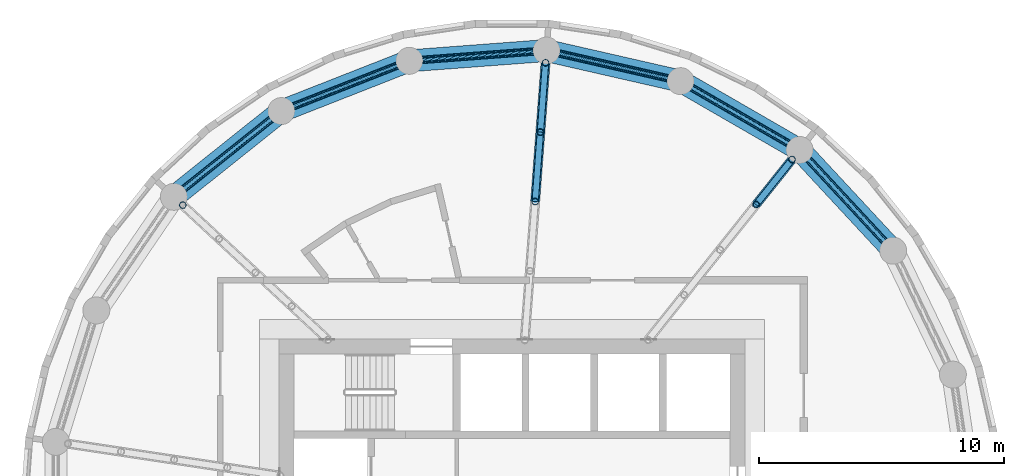
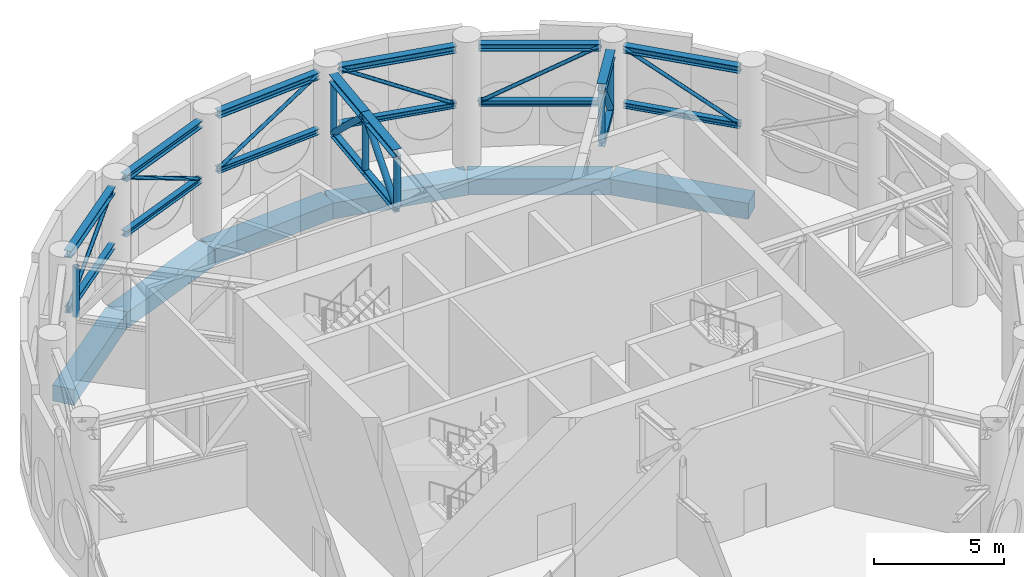
# One storey, part 6 of 13: 33 members, 6 beams.
"""IFC4 building model written with IfcOpenShell, lengths in metres."""

from ifc_helpers import new_model, si_unit, direction, frame, origin, origin_2d, place, context, subcontext, project, spatial, rectangle, hollow_circle, i_section, extrude, material, material_profile, profile_set, type_object, element, save


model = new_model("IFC4")

# Units and contexts
model_context = context("Model", 3, precision=1e-05, world=origin(), true_north=direction((0.0, 1.0)))
body_context = subcontext(model_context, "Body", "Model", "MODEL_VIEW")
ifc_project = project(units=[si_unit("LENGTHUNIT", "METRE"), si_unit("AREAUNIT", "SQUARE_METRE"), si_unit("VOLUMEUNIT", "CUBIC_METRE"), si_unit("PLANEANGLEUNIT", "RADIAN"), si_unit("MASSUNIT", "GRAM", prefix="KILO")], contexts=[model_context])

# Site, building, storey
site_placement = place(None, origin())
site = spatial("IfcSite", under=ifc_project, at=site_placement, CompositionType="ELEMENT")
building_placement = place(site_placement, origin())
building = spatial("IfcBuilding", under=site, at=building_placement, Name="Tracery Tower", CompositionType="ELEMENT")
storey_placement = place(building_placement, frame((0.0, 0.0, 277.800048828125)))
storey = spatial("IfcBuildingStorey", under=building, at=storey_placement, Name="L72 Plant", CompositionType="ELEMENT", Elevation=277.800048828125)

# Members
ifc_material_1 = material(Name="Steel S355", Category="steel")
ifc_material_profile_1 = material_profile(ifc_material_1, i_section(OverallWidth=0.25634765625, OverallDepth=0.26025390625, WebThickness=0.01025390625, FlangeThickness=0.017333984375, FilletRadius=0.0126953125, at=origin_2d()), Name="UKC 254x254x89")
ifc_profile_set_1 = profile_set([ifc_material_profile_1], Name="Steel S355")
member_type_1 = type_object("IfcMemberType", Name="Belt truss bottom chord UKC 254x254x89", PredefinedType="CHORD", material=ifc_profile_set_1)
for number, where, z_axis, x_axis, name in (
    (1, (15.24560546875, 10.932861328125, 2.830078125), (-0.680180699455, 0.733044484386, 0.0), (-0.733044484386, -0.680180699455, 0.0), "Belt truss bottom chord 3"),
    (2, (11.345703125, 14.94091796875, 2.830078125), (-0.866037140647, 0.499979670606, 0.0), (-0.499979670606, -0.866037140647, 0.0), "Belt truss bottom chord 4"),
    (3, (6.437744140625, 17.62109375, 2.830078125), (-0.974922155148, 0.222546155665, 0.0), (-0.222546155665, -0.974922155148, 0.0), "Belt truss bottom chord 5"),
    (4, (0.9580078125, 18.736083984375, 2.830078125), (-0.997199599776, -0.074786082973, 0.0), (0.074786082973, -0.997199599776, 0.0), "Belt truss bottom chord 6"),
    (5, (-4.607177734375, 18.185791015625, 2.830078125), (-0.93087679871, -0.365333252831, 0.0), (0.365333252831, -0.93087679871, 0.0), "Belt truss bottom chord 7"),
    (6, (-9.762939453125, 16.02001953125, 2.830078125), (-0.781828604121, -0.623493411175, 0.0), (0.623493411175, -0.781828604121, 0.0), "Belt truss bottom chord 8"),
):
    element("IfcMember", number, at=place(storey_placement, frame(where, z_axis=z_axis, x_axis=x_axis)), inside=storey, type_object=member_type_1, Name=name, PredefinedType="CHORD", context=body_context, shape_type="SweptSolid", body=[
        extrude(i_section(OverallWidth=0.25634765625, OverallDepth=0.26025390625, WebThickness=0.01025390625, FlangeThickness=0.017333984375, FilletRadius=0.0126953125, at=origin_2d()), origin(), (0.0, 0.0, 1.0), 4.710693359375),
    ])
ifc_material_2 = material(Name="Steel S355", Category="steel")
ifc_material_profile_2 = material_profile(ifc_material_2, hollow_circle(Radius=0.084228515625, WallThickness=0.008056640625, at=origin_2d()), Name="CHS 168.3x8")
ifc_profile_set_2 = profile_set([ifc_material_profile_2], Name="Steel S355")
member_type_2 = type_object("IfcMemberType", Name="Belt truss diagonal CHS 168.3x8", PredefinedType="BRACE", material=ifc_profile_set_2)
for number, where, z_axis, x_axis, name in (
    (7, (15.24560546875, 10.932861328125, 2.830078125), (-0.593410988412, 0.639531013418, 0.488736617932), (-0.733044484386, -0.680180699455, 0.0), "Belt truss diagonal 3"),
    (8, (11.345703125, 14.94091796875, 5.468994140625), (-0.755557155629, 0.436197479375, -0.488738318085), (-0.499979670606, -0.866037140647, 0.0), "Belt truss diagonal 4"),
    (9, (6.437744140625, 17.62109375, 2.830078125), (-0.850552696551, 0.194156253202, 0.48873659545), (-0.222546155665, -0.974922155148, 0.0), "Belt truss diagonal 5"),
    (10, (0.9580078125, 18.736083984375, 5.468994140625), (-0.86998996148, -0.065245855954, -0.488733511441), (0.074786082973, -0.997199599776, 0.0), "Belt truss diagonal 6"),
    (11, (-4.607177734375, 18.185791015625, 2.830078125), (-0.812124520324, -0.318727562149, 0.488739710494), (0.365333252831, -0.93087679871, 0.0), "Belt truss diagonal 7"),
    (12, (-9.762939453125, 16.02001953125, 5.468994140625), (-0.682088749802, -0.543952778264, -0.488743606007), (0.623493411175, -0.781828604121, 0.0), "Belt truss diagonal 8"),
):
    element("IfcMember", number, at=place(storey_placement, frame(where, z_axis=z_axis, x_axis=x_axis)), inside=storey, type_object=member_type_2, Name=name, PredefinedType="BRACE", context=body_context, shape_type="SweptSolid", body=[
        extrude(hollow_circle(Radius=0.084228515625, WallThickness=0.008056640625, at=origin_2d()), origin(), (0.0, 0.0, 1.0), 5.3994140625),
    ])
ifc_material_3 = material(Name="Steel S355", Category="steel")
ifc_material_profile_3 = material_profile(ifc_material_3, i_section(OverallWidth=0.30908203125, OverallDepth=0.320556640625, WebThickness=0.013916015625, FlangeThickness=0.021728515625, FilletRadius=0.01513671875, at=origin_2d()), Name="UKC 305x305x137")
ifc_profile_set_3 = profile_set([ifc_material_profile_3], Name="Steel S355")
member_type_3 = type_object("IfcMemberType", Name="Belt truss top chord UKC 305x305x137", PredefinedType="CHORD", material=ifc_profile_set_3)
for number, where, z_axis, x_axis, name in (
    (13, (15.24560546875, 10.932861328125, 5.468994140625), (-0.680180699455, 0.733044484386, 0.0), (-0.733044484386, -0.680180699455, 0.0), "Belt truss top chord 3"),
    (14, (11.345703125, 14.94091796875, 5.468994140625), (-0.866037140647, 0.499979670606, 0.0), (-0.499979670606, -0.866037140647, 0.0), "Belt truss top chord 4"),
    (15, (6.437744140625, 17.62109375, 5.468994140625), (-0.974922155148, 0.222546155665, 0.0), (-0.222546155665, -0.974922155148, 0.0), "Belt truss top chord 5"),
    (16, (0.9580078125, 18.736083984375, 5.468994140625), (-0.997199599776, -0.074786082973, 0.0), (0.074786082973, -0.997199599776, 0.0), "Belt truss top chord 6"),
    (17, (-4.607177734375, 18.185791015625, 5.468994140625), (-0.93087679871, -0.365333252831, 0.0), (0.365333252831, -0.93087679871, 0.0), "Belt truss top chord 7"),
    (18, (-9.762939453125, 16.02001953125, 5.468994140625), (-0.781828604121, -0.623493411175, 0.0), (0.623493411175, -0.781828604121, 0.0), "Belt truss top chord 8"),
):
    element("IfcMember", number, at=place(storey_placement, frame(where, z_axis=z_axis, x_axis=x_axis)), inside=storey, type_object=member_type_3, Name=name, PredefinedType="CHORD", context=body_context, shape_type="SweptSolid", body=[
        extrude(i_section(OverallWidth=0.30908203125, OverallDepth=0.320556640625, WebThickness=0.013916015625, FlangeThickness=0.021728515625, FilletRadius=0.01513671875, at=origin_2d()), origin(), (0.0, 0.0, 1.0), 4.710693359375),
    ])
ifc_material_4 = material(Name="Steel S355", Category="steel")
ifc_material_profile_4 = material_profile(ifc_material_4, i_section(OverallWidth=0.25634765625, OverallDepth=0.26025390625, WebThickness=0.01025390625, FlangeThickness=0.017333984375, FilletRadius=0.0126953125, at=origin_2d()), Name="UKC 254x254x89")
ifc_profile_set_4 = profile_set([ifc_material_profile_4], Name="Steel S355")
member_type_4 = type_object("IfcMemberType", Name="Outrigger bottom chord UKC 254x254x89", PredefinedType="CHORD", material=ifc_profile_set_4)
member_1_placement = place(storey_placement, frame((9.95556640625, 12.48388671875, 2.830078125), z_axis=(0.623442469173, 0.781869226681, 0.0), x_axis=(-0.781869226681, 0.623442469173, 0.0)))
element("IfcMember", 19, at=member_1_placement, inside=storey, type_object=member_type_4, Name="Outrigger 2 bottom chord 4", PredefinedType="CHORD", context=body_context, shape_type="SweptSolid", body=[
    extrude(i_section(OverallWidth=0.25634765625, OverallDepth=0.26025390625, WebThickness=0.01025390625, FlangeThickness=0.017333984375, FilletRadius=0.0126953125, at=origin_2d()), origin(), (0.0, 0.0, 1.0), 2.354736328125),
])
for number, where, z_axis, x_axis, name in (
    (20, (0.945068359375, 12.610595703125, 2.830078125), (0.074663780517, 0.997208764441, 0.0), (-0.997208764441, 0.074663780517, 0.0), "Outrigger 3 bottom chord 3"),
    (21, (1.156982421875, 15.44091796875, 2.830078125), (0.074755730669, 0.997201875616, 0.0), (-0.997201875616, 0.074755730669, 0.0), "Outrigger 3 bottom chord 4"),
):
    element("IfcMember", number, at=place(storey_placement, frame(where, z_axis=z_axis, x_axis=x_axis)), inside=storey, type_object=member_type_4, Name=name, PredefinedType="CHORD", context=body_context, shape_type="SweptSolid", body=[
        extrude(i_section(OverallWidth=0.25634765625, OverallDepth=0.26025390625, WebThickness=0.01025390625, FlangeThickness=0.017333984375, FilletRadius=0.0126953125, at=origin_2d()), origin(), (0.0, 0.0, 1.0), 2.838134765625),
    ])
ifc_material_5 = material(Name="Steel S355", Category="steel")
ifc_material_profile_5 = material_profile(ifc_material_5, hollow_circle(Radius=0.136474609375, WallThickness=0.012451171875, at=origin_2d()), Name="CHS 273x12.5")
ifc_profile_set_5 = profile_set([ifc_material_profile_5], Name="Steel S355")
member_type_5 = type_object("IfcMemberType", Name="Outrigger diagonal CHS 273x12.5", PredefinedType="BRACE", material=ifc_profile_set_5)
member_2_placement = place(storey_placement, frame((9.95556640625, 12.48388671875, 5.468994140625), z_axis=(0.415077441654, 0.52055529478, -0.746145362853), x_axis=(-0.781869226681, 0.623442469173, 0.0)))
element("IfcMember", 22, at=member_2_placement, inside=storey, type_object=member_type_5, Name="Outrigger 2 diagonal 4", PredefinedType="BRACE", context=body_context, shape_type="SweptSolid", body=[
    extrude(hollow_circle(Radius=0.136474609375, WallThickness=0.012451171875, at=origin_2d()), origin(), (0.0, 0.0, 1.0), 3.53662109375),
])
member_3_placement = place(storey_placement, frame((0.945068359375, 12.610595703125, 2.830078125), z_axis=(0.05468042774, 0.730311288925, 0.680922515483), x_axis=(-0.997208764441, 0.074663780517, 0.0)))
element("IfcMember", 23, at=member_3_placement, inside=storey, type_object=member_type_5, Name="Outrigger 3 diagonal 3", PredefinedType="BRACE", context=body_context, shape_type="SweptSolid", body=[
    extrude(hollow_circle(Radius=0.136474609375, WallThickness=0.012451171875, at=origin_2d()), origin(), (0.0, 0.0, 1.0), 3.87548828125),
])
member_4_placement = place(storey_placement, frame((1.156982421875, 15.44091796875, 5.468994140625), z_axis=(0.054745753543, 0.730279372928, -0.68095149603), x_axis=(-0.997201875616, 0.074755730669, 0.0)))
element("IfcMember", 24, at=member_4_placement, inside=storey, type_object=member_type_5, Name="Outrigger 3 diagonal 4", PredefinedType="BRACE", context=body_context, shape_type="SweptSolid", body=[
    extrude(hollow_circle(Radius=0.136474609375, WallThickness=0.012451171875, at=origin_2d()), origin(), (0.0, 0.0, 1.0), 3.875244140625),
])
ifc_material_6 = material(Name="Steel S355", Category="steel")
ifc_material_profile_6 = material_profile(ifc_material_6, hollow_circle(Radius=0.136474609375, WallThickness=0.012451171875, at=origin_2d()), Name="CHS 273x12.5")
ifc_profile_set_6 = profile_set([ifc_material_profile_6], Name="Steel S355")
member_type_6 = type_object("IfcMemberType", Name="Outrigger post CHS 273x12.5", PredefinedType="POST", material=ifc_profile_set_6)
for number, where, z_axis, x_axis, name in (
    (25, (9.95556640625, 12.48388671875, 2.960205078125), (0.0, 0.0, 1.0), (1.0, 0.0, 0.0), "Outrigger 2 post 4"),
    (26, (11.423583984375, 14.324951171875, 2.960205078125), (0.0, 0.0, 1.0), (1.0, 0.0, 0.0), "Outrigger 2 post 5"),
    (27, (0.945068359375, 12.610595703125, 2.960205078125), (0.0, 0.0, 1.0), (1.0, 0.0, 0.0), "Outrigger 3 post 3"),
    (28, (1.156982421875, 15.44091796875, 2.960205078125), (0.0, 0.0, 1.0), (1.0, 0.0, 0.0), "Outrigger 3 post 4"),
    (29, (1.369140625, 18.27099609375, 2.960205078125), (0.0, 0.0, 1.0), (1.0, 0.0, 0.0), "Outrigger 3 post 5"),
    (30, (-13.43115234375, 12.462158203125, 2.960205078125), (0.0, 0.0, 1.0), (1.0, 0.0, 0.0), "Outrigger 4 post 5"),
):
    element("IfcMember", number, at=place(storey_placement, frame(where, z_axis=z_axis, x_axis=x_axis)), inside=storey, type_object=member_type_6, Name=name, PredefinedType="POST", context=body_context, shape_type="SweptSolid", body=[
        extrude(hollow_circle(Radius=0.136474609375, WallThickness=0.012451171875, at=origin_2d()), origin(), (0.0, 0.0, 1.0), 2.32763671875),
    ])
ifc_material_7 = material(Name="Steel S355", Category="steel")
ifc_material_profile_7 = material_profile(ifc_material_7, i_section(OverallWidth=0.37060546875, OverallDepth=0.362060546875, WebThickness=0.01220703125, FlangeThickness=0.020751953125, FilletRadius=0.01513671875, at=origin_2d()), Name="UKC 356x368x153")
ifc_profile_set_7 = profile_set([ifc_material_profile_7], Name="Steel S355")
member_type_7 = type_object("IfcMemberType", Name="Outrigger top chord UKC 356x368x153", PredefinedType="CHORD", material=ifc_profile_set_7)
member_5_placement = place(storey_placement, frame((9.95556640625, 12.48388671875, 5.468994140625), z_axis=(0.623442469173, 0.781869226681, 0.0), x_axis=(-0.781869226681, 0.623442469173, 0.0)))
element("IfcMember", 31, at=member_5_placement, inside=storey, type_object=member_type_7, Name="Outrigger 2 top chord 4", PredefinedType="CHORD", context=body_context, shape_type="SweptSolid", body=[
    extrude(i_section(OverallWidth=0.37060546875, OverallDepth=0.362060546875, WebThickness=0.01220703125, FlangeThickness=0.020751953125, FilletRadius=0.01513671875, at=origin_2d()), origin(), (0.0, 0.0, 1.0), 2.354736328125),
])
for number, where, z_axis, x_axis, name in (
    (32, (0.945068359375, 12.610595703125, 5.468994140625), (0.074663780517, 0.997208764441, 0.0), (-0.997208764441, 0.074663780517, 0.0), "Outrigger 3 top chord 3"),
    (33, (1.156982421875, 15.44091796875, 5.468994140625), (0.074755730669, 0.997201875616, 0.0), (-0.997201875616, 0.074755730669, 0.0), "Outrigger 3 top chord 4"),
):
    element("IfcMember", number, at=place(storey_placement, frame(where, z_axis=z_axis, x_axis=x_axis)), inside=storey, type_object=member_type_7, Name=name, PredefinedType="CHORD", context=body_context, shape_type="SweptSolid", body=[
        extrude(i_section(OverallWidth=0.37060546875, OverallDepth=0.362060546875, WebThickness=0.01220703125, FlangeThickness=0.020751953125, FilletRadius=0.01513671875, at=origin_2d()), origin(), (0.0, 0.0, 1.0), 2.838134765625),
    ])

# Beams
ifc_material_8 = material(Name="Concrete C40/50", Category="concrete")
ifc_material_profile_8 = material_profile(ifc_material_8, rectangle(XDim=0.89990234375, YDim=0.75, at=origin_2d()), Name="RC 900x750")
ifc_profile_set_8 = profile_set([ifc_material_profile_8], Name="Concrete C40/50")
beam_type = type_object("IfcBeamType", Name="Plant level band beam 900x750", PredefinedType="BEAM", material=ifc_profile_set_8)
beam_1_placement = place(storey_placement, frame((15.551513671875, 10.602783203125, -0.875), z_axis=(-0.680155630824, 0.733067744386, 0.0), x_axis=(-0.733067744386, -0.680155630824, 0.0)))
element("IfcBeam", 34, at=beam_1_placement, inside=storey, type_object=beam_type, Name="Perimeter beam 2.02 under L72 Plant", PredefinedType="BEAM", context=body_context, shape_type="SweptSolid", body=[
    extrude(rectangle(XDim=0.89990234375, YDim=0.75, at=origin_2d()), origin(), (0.0, 0.0, 1.0), 5.61083984375),
])
for number, where, z_axis, x_axis, name in (
    (35, (11.7353515625, 14.7158203125, -0.875), (-0.866033412818, 0.49998612769, 0.0), (-0.49998612769, -0.866033412818, 0.0), "Perimeter beam 2.03 under L72 Plant"),
    (36, (6.87646484375, 17.52099609375, -0.875), (-0.974925977366, 0.222529410768, 0.0), (-0.222529410768, -0.974925977366, 0.0), "Perimeter beam 2.04 under L72 Plant"),
):
    element("IfcBeam", number, at=place(storey_placement, frame(where, z_axis=z_axis, x_axis=x_axis)), inside=storey, type_object=beam_type, Name=name, PredefinedType="BEAM", context=body_context, shape_type="SweptSolid", body=[
        extrude(rectangle(XDim=0.89990234375, YDim=0.75, at=origin_2d()), origin(), (0.0, 0.0, 1.0), 5.610595703125),
    ])
beam_2_placement = place(storey_placement, frame((1.406494140625, 18.76953125, -0.875), z_axis=(-0.997204824387, -0.07471638521, 0.0), x_axis=(0.07471638521, -0.997204824387, 0.0)))
element("IfcBeam", 37, at=beam_2_placement, inside=storey, type_object=beam_type, Name="Perimeter beam 2.05 under L72 Plant", PredefinedType="BEAM", context=body_context, shape_type="SweptSolid", body=[
    extrude(rectangle(XDim=0.89990234375, YDim=0.75, at=origin_2d()), origin(), (0.0, 0.0, 1.0), 5.6103515625),
])
beam_3_placement = place(storey_placement, frame((-4.188232421875, 18.350341796875, -0.875), z_axis=(-0.930875728468, -0.365335979817, 0.0), x_axis=(0.365335979817, -0.930875728468, 0.0)))
element("IfcBeam", 38, at=beam_3_placement, inside=storey, type_object=beam_type, Name="Perimeter beam 2.06 under L72 Plant", PredefinedType="BEAM", context=body_context, shape_type="SweptSolid", body=[
    extrude(rectangle(XDim=0.89990234375, YDim=0.75, at=origin_2d()), origin(), (0.0, 0.0, 1.0), 5.61083984375),
])
beam_4_placement = place(storey_placement, frame((-9.4111328125, 16.300537109375, -0.875), z_axis=(-0.781835817725, -0.623484365579, 0.0), x_axis=(0.623484365579, -0.781835817725, 0.0)))
element("IfcBeam", 39, at=beam_4_placement, inside=storey, type_object=beam_type, Name="Perimeter beam 2.07 under L72 Plant", PredefinedType="BEAM", context=body_context, shape_type="SweptSolid", body=[
    extrude(rectangle(XDim=0.89990234375, YDim=0.75, at=origin_2d()), origin(), (0.0, 0.0, 1.0), 5.610595703125),
])

save(model, "model.ifc")
